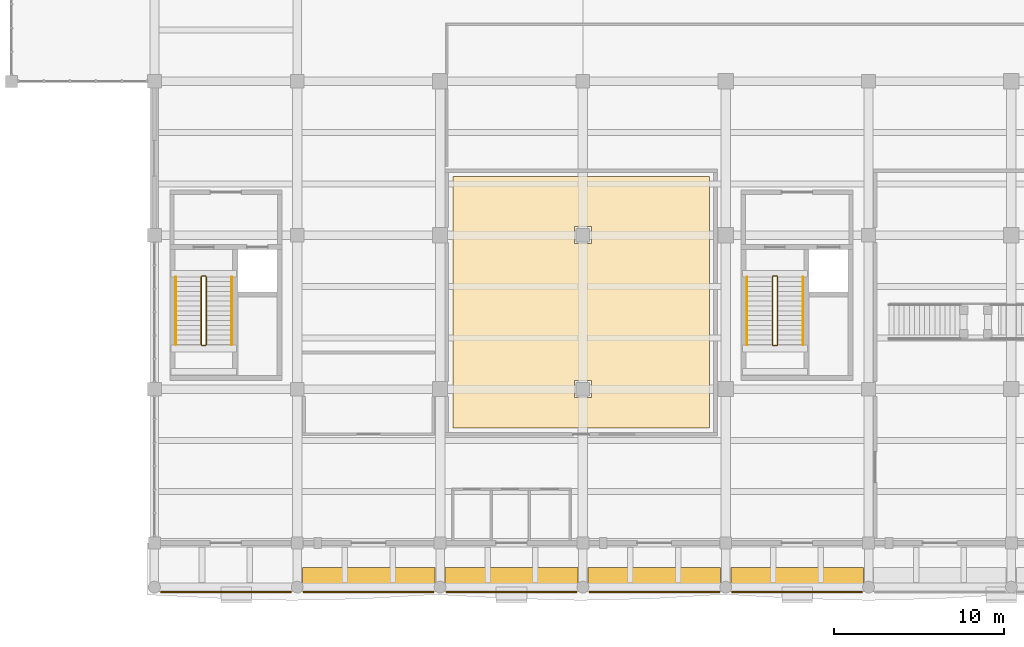
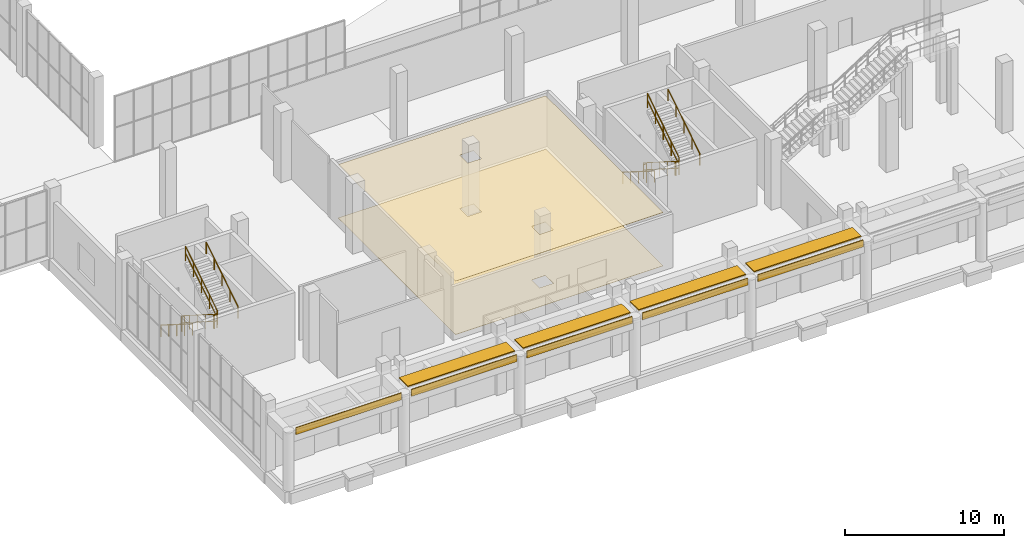
# One storey, part 86 of 91: 12 railings, 7 coverings, 4 shading devices.
"""IFC4 building model written with IfcOpenShell, lengths in metres."""

from ifc_helpers import new_model, si_unit, direction, frame, origin, origin_2d, place, context, subcontext, project, spatial, polyline, rectangle, circle, outline, extrude, material, layer, layer_set, type_object, element, save


model = new_model("IFC4")

# Units and contexts
model_context = context("Model", 3, precision=1e-05, world=origin(), true_north=direction((0.0, 1.0)))
body_context = subcontext(model_context, "Body", "Model", "MODEL_VIEW")
ifc_project = project(units=[si_unit("LENGTHUNIT", "METRE"), si_unit("AREAUNIT", "SQUARE_METRE"), si_unit("VOLUMEUNIT", "CUBIC_METRE"), si_unit("PLANEANGLEUNIT", "RADIAN"), si_unit("MASSUNIT", "GRAM", prefix="KILO")], contexts=[model_context])

# Site, building, storey
site_placement = place(None, origin())
site = spatial("IfcSite", under=ifc_project, at=site_placement, CompositionType="ELEMENT")
building_placement = place(site_placement, origin())
building = spatial("IfcBuilding", under=site, at=building_placement, Name="Khurvash Pelagic Aquarium", CompositionType="ELEMENT")
storey_placement = place(building_placement, origin())
storey = spatial("IfcBuildingStorey", under=building, at=storey_placement, Name="L00", CompositionType="ELEMENT", Elevation=0.0)

# Coverings
ifc_material_1 = material(Name="High-albedo white architectural GRC rainscreen", Category="concrete")
ifc_layer_1 = layer(ifc_material_1, 0.044921875)
ifc_layer_set_1 = layer_set([ifc_layer_1], Name="High-albedo white architectural GRC rainscreen")
covering_type_1 = type_object("IfcCoveringType", Name="CV-CL01", PredefinedType="CLADDING", material=ifc_layer_set_1)
covering_1_placement = place(storey_placement, frame((0.0, 0.0, 4.199951171875)))
element("IfcCovering", 1, at=covering_1_placement, inside=storey, type_object=covering_type_1, Name="L00 Boulevard Wave Canopy GRC Fascia Cladding CV-CL01 01", PredefinedType="CLADDING", context=body_context, shape_type="SweptSolid", body=[
    extrude(outline(polyline([(25.56005859375, -0.320068359375), (33.239990234375, -0.320068359375), (33.239990234375, -0.25), (25.56005859375, -0.25), (25.56005859375, -0.320068359375)])), origin(), (0.0, 0.0, 1.0), 0.52001953125),
])
covering_2_placement = place(storey_placement, frame((0.0, 0.0, 4.199951171875)))
element("IfcCovering", 2, at=covering_2_placement, inside=storey, type_object=covering_type_1, Name="L00 Boulevard Wave Canopy GRC Fascia Cladding CV-CL01 02", PredefinedType="CLADDING", context=body_context, shape_type="SweptSolid", body=[
    extrude(outline(polyline([(33.9599609375, -0.320068359375), (41.639892578125, -0.320068359375), (41.639892578125, -0.25), (33.9599609375, -0.25), (33.9599609375, -0.320068359375)])), origin(), (0.0, 0.0, 1.0), 0.52001953125),
])
covering_3_placement = place(storey_placement, frame((0.0, 0.0, 4.199951171875)))
element("IfcCovering", 3, at=covering_3_placement, inside=storey, type_object=covering_type_1, Name="L00 Boulevard Wave Canopy GRC Fascia Cladding CV-CL01 03", PredefinedType="CLADDING", context=body_context, shape_type="SweptSolid", body=[
    extrude(outline(polyline([(42.360107421875, -0.320068359375), (50.0400390625, -0.320068359375), (50.0400390625, -0.25), (42.360107421875, -0.25), (42.360107421875, -0.320068359375)])), origin(), (0.0, 0.0, 1.0), 0.52001953125),
])
covering_4_placement = place(storey_placement, frame((0.0, 0.0, 4.199951171875)))
element("IfcCovering", 4, at=covering_4_placement, inside=storey, type_object=covering_type_1, Name="L00 Boulevard Wave Canopy GRC Fascia Cladding CV-CL01 04", PredefinedType="CLADDING", context=body_context, shape_type="SweptSolid", body=[
    extrude(outline(polyline([(50.760009765625, -0.320068359375), (58.43994140625, -0.320068359375), (58.43994140625, -0.25), (50.760009765625, -0.25), (50.760009765625, -0.320068359375)])), origin(), (0.0, 0.0, 1.0), 0.52001953125),
])
covering_5_placement = place(storey_placement, frame((0.0, 0.0, 4.199951171875)))
element("IfcCovering", 5, at=covering_5_placement, inside=storey, type_object=covering_type_1, Name="L00 Boulevard Wave Canopy GRC Fascia Cladding CV-CL01 05", PredefinedType="CLADDING", context=body_context, shape_type="SweptSolid", body=[
    extrude(outline(polyline([(59.159912109375, -0.320068359375), (66.840087890625, -0.320068359375), (66.840087890625, -0.25), (59.159912109375, -0.25), (59.159912109375, -0.320068359375)])), origin(), (0.0, 0.0, 1.0), 0.52001953125),
])
ifc_material_2 = material(Name="Moisture-resistant acoustic mineral-fibre ceiling", Category="finish")
ifc_layer_2 = layer(ifc_material_2, 0.02490234375)
ifc_layer_set_2 = layer_set([ifc_layer_2], Name="Moisture-resistant acoustic mineral-fibre ceiling")
covering_type_2 = type_object("IfcCoveringType", Name="CV-CLG", PredefinedType="CEILING", material=ifc_layer_set_2)
covering_6_placement = place(storey_placement, frame((0.0, 0.0, 4.10498046875)))
element("IfcCovering", 6, at=covering_6_placement, inside=storey, type_object=covering_type_2, Name="L00 Aquarium Conservation Shop Suspended Acoustic Ceiling", PredefinedType="CEILING", context=body_context, shape_type="SweptSolid", body=[
    extrude(outline(polyline([(42.75, 24.14990234375), (42.75, 9.35009765625), (57.85009765625, 9.35009765625), (57.85009765625, 24.14990234375), (42.75, 24.14990234375)]), holes=[polyline([(50.89990234375, 12.14990234375), (50.89990234375, 11.14990234375), (49.89990234375, 11.14990234375), (49.89990234375, 12.14990234375), (50.89990234375, 12.14990234375)]), polyline([(50.89990234375, 20.199951171875), (49.89990234375, 20.199951171875), (49.89990234375, 21.199951171875), (50.89990234375, 21.199951171875), (50.89990234375, 20.199951171875)])]), origin(), (0.0, 0.0, 1.0), 0.02490234375),
])
ifc_material_3 = material(Name="Slip-resistant terrazzo and epoxy resin flooring", Category="finish")
ifc_layer_3 = layer(ifc_material_3, 0.02001953125)
ifc_layer_set_3 = layer_set([ifc_layer_3], Name="Slip-resistant terrazzo and epoxy resin flooring")
covering_type_3 = type_object("IfcCoveringType", Name="CV-FLR", PredefinedType="FLOORING", material=ifc_layer_set_3)
covering_7_placement = place(storey_placement, origin())
element("IfcCovering", 7, at=covering_7_placement, inside=storey, type_object=covering_type_3, Name="L00 Aquarium Conservation Shop Terrazzo Floor Finish", PredefinedType="FLOORING", context=body_context, shape_type="SweptSolid", body=[
    extrude(outline(polyline([(42.75, 24.14990234375), (42.75, 9.35009765625), (57.85009765625, 9.35009765625), (57.85009765625, 24.14990234375), (42.75, 24.14990234375)]), holes=[polyline([(50.89990234375, 12.14990234375), (50.89990234375, 11.14990234375), (49.89990234375, 11.14990234375), (49.89990234375, 12.14990234375), (50.89990234375, 12.14990234375)]), polyline([(50.89990234375, 20.199951171875), (49.89990234375, 20.199951171875), (49.89990234375, 21.199951171875), (50.89990234375, 21.199951171875), (50.89990234375, 20.199951171875)])]), origin(), (0.0, 0.0, 1.0), 0.02001953125),
])

# Railings
ifc_material_4 = material(Name="Powder-coated galvanised steel S355J2", Category="steel")
railing_type_1 = type_object("IfcRailingType", Name="GR-01", PredefinedType="GUARDRAIL", material=ifc_material_4)
railing_1_placement = place(storey_placement, frame((27.949951171875, 18.25, 0.179931640625)))
element("IfcRailing", 8, at=railing_1_placement, inside=storey, type_object=railing_type_1, Name="L00 ST-01 stair guard 1", PredefinedType="GUARDRAIL", context=body_context, shape_type="SweptSolid", body=[
    extrude(circle(Radius=0.02392578125, at=origin_2d()), frame((0.0, 0.0, 1.076171875), z_axis=(0.0, -0.845486444383, 0.533996884227), x_axis=(1.0, 0.0, 0.0)), (0.0, 0.0, 1.0), 4.71923828125),
    extrude(circle(Radius=0.02392578125, at=origin_2d()), frame((0.0, 0.0, 0.5380859375), z_axis=(0.0, -0.845486444383, 0.533996884227), x_axis=(1.0, 0.0, 0.0)), (0.0, 0.0, 1.0), 4.71923828125),
    extrude(circle(Radius=0.02099609375, at=origin_2d()), origin(), (0.0, 0.0, 1.0), 1.052001953125),
    extrude(circle(Radius=0.02099609375, at=origin_2d()), frame((0.0, -0.99755859375, 0.6298828125)), (0.0, 0.0, 1.0), 1.052001953125),
    extrude(circle(Radius=0.02099609375, at=origin_2d()), frame((0.0, -1.9951171875, 1.260009765625)), (0.0, 0.0, 1.0), 1.052001953125),
    extrude(circle(Radius=0.02099609375, at=origin_2d()), frame((0.0, -2.992431640625, 1.89013671875)), (0.0, 0.0, 1.0), 1.052001953125),
    extrude(circle(Radius=0.02099609375, at=origin_2d()), frame((0.0, -3.989990234375, 2.52001953125)), (0.0, 0.0, 1.0), 1.052001953125),
])
railing_2_placement = place(storey_placement, frame((28.0, 14.2099609375, 2.699951171875)))
element("IfcRailing", 9, at=railing_2_placement, inside=storey, type_object=railing_type_1, Name="L00 ST-01 stair guard 2", PredefinedType="GUARDRAIL", context=body_context, shape_type="SweptSolid", body=[
    extrude(circle(Radius=0.02392578125, at=origin_2d()), frame((0.0, 0.0, 1.076171875), z_axis=(1.0, 0.0, 0.0), x_axis=(0.0, 1.0, 0.0)), (0.0, 0.0, 1.0), 0.199951171875),
    extrude(circle(Radius=0.02392578125, at=origin_2d()), frame((0.0, 0.0, 0.5380859375), z_axis=(1.0, 0.0, 0.0), x_axis=(0.0, 1.0, 0.0)), (0.0, 0.0, 1.0), 0.199951171875),
    extrude(circle(Radius=0.02099609375, at=origin_2d()), origin(), (0.0, 0.0, 1.0), 1.052001953125),
    extrude(circle(Radius=0.02099609375, at=origin_2d()), frame((0.199951171875, 0.0, 0.0)), (0.0, 0.0, 1.0), 1.052001953125),
])
railing_3_placement = place(storey_placement, frame((28.25, 14.260009765625, 2.8798828125)))
element("IfcRailing", 10, at=railing_3_placement, inside=storey, type_object=railing_type_1, Name="L00 ST-01 stair guard 3", PredefinedType="GUARDRAIL", context=body_context, shape_type="SweptSolid", body=[
    extrude(circle(Radius=0.02392578125, at=origin_2d()), frame((0.0, 0.0, 1.076171875), z_axis=(0.0, 0.845486444383, 0.533996884227), x_axis=(-1.0, 0.0, 0.0)), (0.0, 0.0, 1.0), 4.71923828125),
    extrude(circle(Radius=0.02392578125, at=origin_2d()), frame((0.0, 0.0, 0.5380859375), z_axis=(0.0, 0.845486444383, 0.533996884227), x_axis=(-1.0, 0.0, 0.0)), (0.0, 0.0, 1.0), 4.71923828125),
    extrude(circle(Radius=0.02099609375, at=origin_2d()), origin(), (0.0, 0.0, 1.0), 1.052001953125),
    extrude(circle(Radius=0.02099609375, at=origin_2d()), frame((0.0, 0.99755859375, 0.6298828125)), (0.0, 0.0, 1.0), 1.052001953125),
    extrude(circle(Radius=0.02099609375, at=origin_2d()), frame((0.0, 1.9951171875, 1.260009765625)), (0.0, 0.0, 1.0), 1.052001953125),
    extrude(circle(Radius=0.02099609375, at=origin_2d()), frame((0.0, 2.992431640625, 1.89013671875)), (0.0, 0.0, 1.0), 1.052001953125),
    extrude(circle(Radius=0.02099609375, at=origin_2d()), frame((0.0, 3.989990234375, 2.52001953125)), (0.0, 0.0, 1.0), 1.052001953125),
])
railing_4_placement = place(storey_placement, frame((28.0, 18.300048828125, 0.0)))
element("IfcRailing", 11, at=railing_4_placement, inside=storey, type_object=railing_type_1, Name="L00 ST-01 stair guard 4", PredefinedType="GUARDRAIL", context=body_context, shape_type="SweptSolid", body=[
    extrude(circle(Radius=0.02392578125, at=origin_2d()), frame((0.0, 0.0, 1.076171875), z_axis=(1.0, 0.0, 0.0), x_axis=(0.0, 1.0, 0.0)), (0.0, 0.0, 1.0), 0.199951171875),
    extrude(circle(Radius=0.02392578125, at=origin_2d()), frame((0.0, 0.0, 0.5380859375), z_axis=(1.0, 0.0, 0.0), x_axis=(0.0, 1.0, 0.0)), (0.0, 0.0, 1.0), 0.199951171875),
    extrude(circle(Radius=0.02099609375, at=origin_2d()), origin(), (0.0, 0.0, 1.0), 1.052001953125),
    extrude(circle(Radius=0.02099609375, at=origin_2d()), frame((0.199951171875, 0.0, 0.0)), (0.0, 0.0, 1.0), 1.052001953125),
])
railing_5_placement = place(storey_placement, frame((61.550048828125, 18.25, 0.179931640625)))
element("IfcRailing", 12, at=railing_5_placement, inside=storey, type_object=railing_type_1, Name="L00 ST-02 stair guard 1", PredefinedType="GUARDRAIL", context=body_context, shape_type="SweptSolid", body=[
    extrude(circle(Radius=0.02392578125, at=origin_2d()), frame((0.0, 0.0, 1.076171875), z_axis=(0.0, -0.845486444383, 0.533996884227), x_axis=(1.0, 0.0, 0.0)), (0.0, 0.0, 1.0), 4.71923828125),
    extrude(circle(Radius=0.02392578125, at=origin_2d()), frame((0.0, 0.0, 0.5380859375), z_axis=(0.0, -0.845486444383, 0.533996884227), x_axis=(1.0, 0.0, 0.0)), (0.0, 0.0, 1.0), 4.71923828125),
    extrude(circle(Radius=0.02099609375, at=origin_2d()), origin(), (0.0, 0.0, 1.0), 1.052001953125),
    extrude(circle(Radius=0.02099609375, at=origin_2d()), frame((0.0, -0.99755859375, 0.6298828125)), (0.0, 0.0, 1.0), 1.052001953125),
    extrude(circle(Radius=0.02099609375, at=origin_2d()), frame((0.0, -1.9951171875, 1.260009765625)), (0.0, 0.0, 1.0), 1.052001953125),
    extrude(circle(Radius=0.02099609375, at=origin_2d()), frame((0.0, -2.992431640625, 1.89013671875)), (0.0, 0.0, 1.0), 1.052001953125),
    extrude(circle(Radius=0.02099609375, at=origin_2d()), frame((0.0, -3.989990234375, 2.52001953125)), (0.0, 0.0, 1.0), 1.052001953125),
])
railing_6_placement = place(storey_placement, frame((61.60009765625, 14.2099609375, 2.699951171875)))
element("IfcRailing", 13, at=railing_6_placement, inside=storey, type_object=railing_type_1, Name="L00 ST-02 stair guard 2", PredefinedType="GUARDRAIL", context=body_context, shape_type="SweptSolid", body=[
    extrude(circle(Radius=0.02392578125, at=origin_2d()), frame((0.0, 0.0, 1.076171875), z_axis=(1.0, 0.0, 0.0), x_axis=(0.0, 1.0, 0.0)), (0.0, 0.0, 1.0), 0.199951171875),
    extrude(circle(Radius=0.02392578125, at=origin_2d()), frame((0.0, 0.0, 0.5380859375), z_axis=(1.0, 0.0, 0.0), x_axis=(0.0, 1.0, 0.0)), (0.0, 0.0, 1.0), 0.199951171875),
    extrude(circle(Radius=0.02099609375, at=origin_2d()), origin(), (0.0, 0.0, 1.0), 1.052001953125),
    extrude(circle(Radius=0.02099609375, at=origin_2d()), frame((0.199951171875, 0.0, 0.0)), (0.0, 0.0, 1.0), 1.052001953125),
])
railing_7_placement = place(storey_placement, frame((61.85009765625, 14.260009765625, 2.8798828125)))
element("IfcRailing", 14, at=railing_7_placement, inside=storey, type_object=railing_type_1, Name="L00 ST-02 stair guard 3", PredefinedType="GUARDRAIL", context=body_context, shape_type="SweptSolid", body=[
    extrude(circle(Radius=0.02392578125, at=origin_2d()), frame((0.0, 0.0, 1.076171875), z_axis=(0.0, 0.845486444383, 0.533996884227), x_axis=(-1.0, 0.0, 0.0)), (0.0, 0.0, 1.0), 4.71923828125),
    extrude(circle(Radius=0.02392578125, at=origin_2d()), frame((0.0, 0.0, 0.5380859375), z_axis=(0.0, 0.845486444383, 0.533996884227), x_axis=(-1.0, 0.0, 0.0)), (0.0, 0.0, 1.0), 4.71923828125),
    extrude(circle(Radius=0.02099609375, at=origin_2d()), origin(), (0.0, 0.0, 1.0), 1.052001953125),
    extrude(circle(Radius=0.02099609375, at=origin_2d()), frame((0.0, 0.99755859375, 0.6298828125)), (0.0, 0.0, 1.0), 1.052001953125),
    extrude(circle(Radius=0.02099609375, at=origin_2d()), frame((0.0, 1.9951171875, 1.260009765625)), (0.0, 0.0, 1.0), 1.052001953125),
    extrude(circle(Radius=0.02099609375, at=origin_2d()), frame((0.0, 2.992431640625, 1.89013671875)), (0.0, 0.0, 1.0), 1.052001953125),
    extrude(circle(Radius=0.02099609375, at=origin_2d()), frame((0.0, 3.989990234375, 2.52001953125)), (0.0, 0.0, 1.0), 1.052001953125),
])
railing_8_placement = place(storey_placement, frame((61.60009765625, 18.300048828125, 0.0)))
element("IfcRailing", 15, at=railing_8_placement, inside=storey, type_object=railing_type_1, Name="L00 ST-02 stair guard 4", PredefinedType="GUARDRAIL", context=body_context, shape_type="SweptSolid", body=[
    extrude(circle(Radius=0.02392578125, at=origin_2d()), frame((0.0, 0.0, 1.076171875), z_axis=(1.0, 0.0, 0.0), x_axis=(0.0, 1.0, 0.0)), (0.0, 0.0, 1.0), 0.199951171875),
    extrude(circle(Radius=0.02392578125, at=origin_2d()), frame((0.0, 0.0, 0.5380859375), z_axis=(1.0, 0.0, 0.0), x_axis=(0.0, 1.0, 0.0)), (0.0, 0.0, 1.0), 0.199951171875),
    extrude(circle(Radius=0.02099609375, at=origin_2d()), origin(), (0.0, 0.0, 1.0), 1.052001953125),
    extrude(circle(Radius=0.02099609375, at=origin_2d()), frame((0.199951171875, 0.0, 0.0)), (0.0, 0.0, 1.0), 1.052001953125),
])
ifc_material_5 = material(Name="Brushed stainless steel 316", Category="steel")
railing_type_2 = type_object("IfcRailingType", Name="HR-01", PredefinedType="HANDRAIL", material=ifc_material_5)
railing_9_placement = place(storey_placement, frame((26.449951171875, 18.25, 0.179931640625)))
element("IfcRailing", 16, at=railing_9_placement, inside=storey, type_object=railing_type_2, Name="L00 ST-01 stair handrail 1", PredefinedType="HANDRAIL", context=body_context, shape_type="SweptSolid", body=[
    extrude(circle(Radius=0.02392578125, at=origin_2d()), frame((0.0, 0.0, 0.8759765625), z_axis=(0.0, -0.845486444383, 0.533996884227), x_axis=(1.0, 0.0, 0.0)), (0.0, 0.0, 1.0), 4.71923828125),
    extrude(circle(Radius=0.02099609375, at=origin_2d()), origin(), (0.0, 0.0, 1.0), 0.851806640625),
    extrude(circle(Radius=0.02099609375, at=origin_2d()), frame((0.0, -0.99755859375, 0.6298828125)), (0.0, 0.0, 1.0), 0.851806640625),
    extrude(circle(Radius=0.02099609375, at=origin_2d()), frame((0.0, -1.9951171875, 1.260009765625)), (0.0, 0.0, 1.0), 0.851806640625),
    extrude(circle(Radius=0.02099609375, at=origin_2d()), frame((0.0, -2.992431640625, 1.89013671875)), (0.0, 0.0, 1.0), 0.851806640625),
    extrude(circle(Radius=0.02099609375, at=origin_2d()), frame((0.0, -3.989990234375, 2.52001953125)), (0.0, 0.0, 1.0), 0.851806640625),
])
railing_10_placement = place(storey_placement, frame((29.75, 14.260009765625, 2.8798828125)))
element("IfcRailing", 17, at=railing_10_placement, inside=storey, type_object=railing_type_2, Name="L00 ST-01 stair handrail 2", PredefinedType="HANDRAIL", context=body_context, shape_type="SweptSolid", body=[
    extrude(circle(Radius=0.02392578125, at=origin_2d()), frame((0.0, 0.0, 0.8759765625), z_axis=(0.0, 0.845486444383, 0.533996884227), x_axis=(-1.0, 0.0, 0.0)), (0.0, 0.0, 1.0), 4.71923828125),
    extrude(circle(Radius=0.02099609375, at=origin_2d()), origin(), (0.0, 0.0, 1.0), 0.851806640625),
    extrude(circle(Radius=0.02099609375, at=origin_2d()), frame((0.0, 0.99755859375, 0.6298828125)), (0.0, 0.0, 1.0), 0.851806640625),
    extrude(circle(Radius=0.02099609375, at=origin_2d()), frame((0.0, 1.9951171875, 1.260009765625)), (0.0, 0.0, 1.0), 0.851806640625),
    extrude(circle(Radius=0.02099609375, at=origin_2d()), frame((0.0, 2.992431640625, 1.89013671875)), (0.0, 0.0, 1.0), 0.851806640625),
    extrude(circle(Radius=0.02099609375, at=origin_2d()), frame((0.0, 3.989990234375, 2.52001953125)), (0.0, 0.0, 1.0), 0.851806640625),
])
railing_11_placement = place(storey_placement, frame((60.050048828125, 18.25, 0.179931640625)))
element("IfcRailing", 18, at=railing_11_placement, inside=storey, type_object=railing_type_2, Name="L00 ST-02 stair handrail 1", PredefinedType="HANDRAIL", context=body_context, shape_type="SweptSolid", body=[
    extrude(circle(Radius=0.02392578125, at=origin_2d()), frame((0.0, 0.0, 0.8759765625), z_axis=(0.0, -0.845486444383, 0.533996884227), x_axis=(1.0, 0.0, 0.0)), (0.0, 0.0, 1.0), 4.71923828125),
    extrude(circle(Radius=0.02099609375, at=origin_2d()), origin(), (0.0, 0.0, 1.0), 0.851806640625),
    extrude(circle(Radius=0.02099609375, at=origin_2d()), frame((0.0, -0.99755859375, 0.6298828125)), (0.0, 0.0, 1.0), 0.851806640625),
    extrude(circle(Radius=0.02099609375, at=origin_2d()), frame((0.0, -1.9951171875, 1.260009765625)), (0.0, 0.0, 1.0), 0.851806640625),
    extrude(circle(Radius=0.02099609375, at=origin_2d()), frame((0.0, -2.992431640625, 1.89013671875)), (0.0, 0.0, 1.0), 0.851806640625),
    extrude(circle(Radius=0.02099609375, at=origin_2d()), frame((0.0, -3.989990234375, 2.52001953125)), (0.0, 0.0, 1.0), 0.851806640625),
])
railing_12_placement = place(storey_placement, frame((63.35009765625, 14.260009765625, 2.8798828125)))
element("IfcRailing", 19, at=railing_12_placement, inside=storey, type_object=railing_type_2, Name="L00 ST-02 stair handrail 2", PredefinedType="HANDRAIL", context=body_context, shape_type="SweptSolid", body=[
    extrude(circle(Radius=0.02392578125, at=origin_2d()), frame((0.0, 0.0, 0.8759765625), z_axis=(0.0, 0.845486444383, 0.533996884227), x_axis=(-1.0, 0.0, 0.0)), (0.0, 0.0, 1.0), 4.71923828125),
    extrude(circle(Radius=0.02099609375, at=origin_2d()), origin(), (0.0, 0.0, 1.0), 0.851806640625),
    extrude(circle(Radius=0.02099609375, at=origin_2d()), frame((0.0, 0.99755859375, 0.6298828125)), (0.0, 0.0, 1.0), 0.851806640625),
    extrude(circle(Radius=0.02099609375, at=origin_2d()), frame((0.0, 1.9951171875, 1.260009765625)), (0.0, 0.0, 1.0), 0.851806640625),
    extrude(circle(Radius=0.02099609375, at=origin_2d()), frame((0.0, 2.992431640625, 1.89013671875)), (0.0, 0.0, 1.0), 0.851806640625),
    extrude(circle(Radius=0.02099609375, at=origin_2d()), frame((0.0, 3.989990234375, 2.52001953125)), (0.0, 0.0, 1.0), 0.851806640625),
])

# Shading devices
ifc_material_6 = material(Name="Anodised aluminium solar canopy", Category="aluminium")
ifc_layer_4 = layer(ifc_material_6, 0.080078125)
ifc_layer_set_4 = layer_set([ifc_layer_4], Name="Anodised aluminium solar canopy")
shading_device_type = type_object("IfcShadingDeviceType", Name="SH-AWN", PredefinedType="AWNING", material=ifc_layer_set_4)
for number, where, z_axis, x_axis, name in (
    (20, (37.800048828125, 0.60009765625, 4.71484375), (0.0, 0.0, 1.0), (1.0, 0.0, 0.0), "L00 Boulevard Arcade Solar Awning Canopy SH-AWN 01"),
    (21, (46.199951171875, 0.60009765625, 4.71484375), (0.0, 0.0, 1.0), (1.0, 0.0, 0.0), "L00 Boulevard Arcade Solar Awning Canopy SH-AWN 02"),
    (22, (54.60009765625, 0.60009765625, 4.71484375), (0.0, 0.0, 1.0), (1.0, 0.0, 0.0), "L00 Boulevard Arcade Solar Awning Canopy SH-AWN 03"),
    (23, (63.0, 0.60009765625, 4.71484375), (0.0, 0.0, 1.0), (1.0, 0.0, 0.0), "L00 Boulevard Arcade Solar Awning Canopy SH-AWN 04"),
):
    element("IfcShadingDevice", number, at=place(storey_placement, frame(where, z_axis=z_axis, x_axis=x_axis)), inside=storey, type_object=shading_device_type, Name=name, PredefinedType="AWNING", context=body_context, shape_type="SweptSolid", body=[
        extrude(rectangle(XDim=7.800048828125, YDim=1.10009765625, at=origin_2d()), origin(), (0.0, 0.0, 1.0), 0.080078125),
    ])

save(model, "model.ifc")
